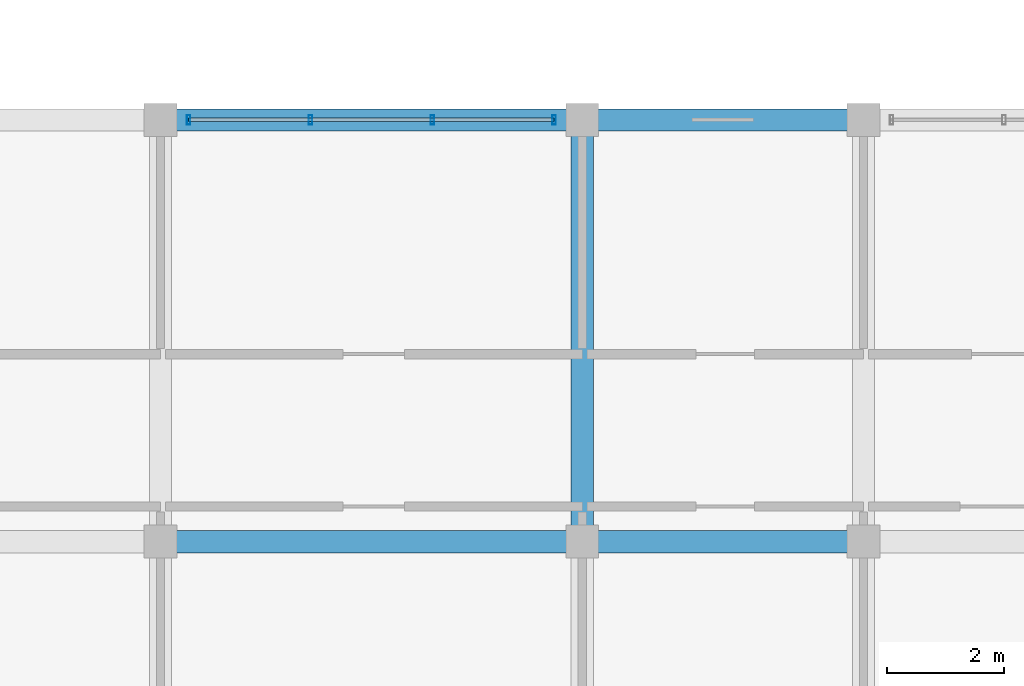
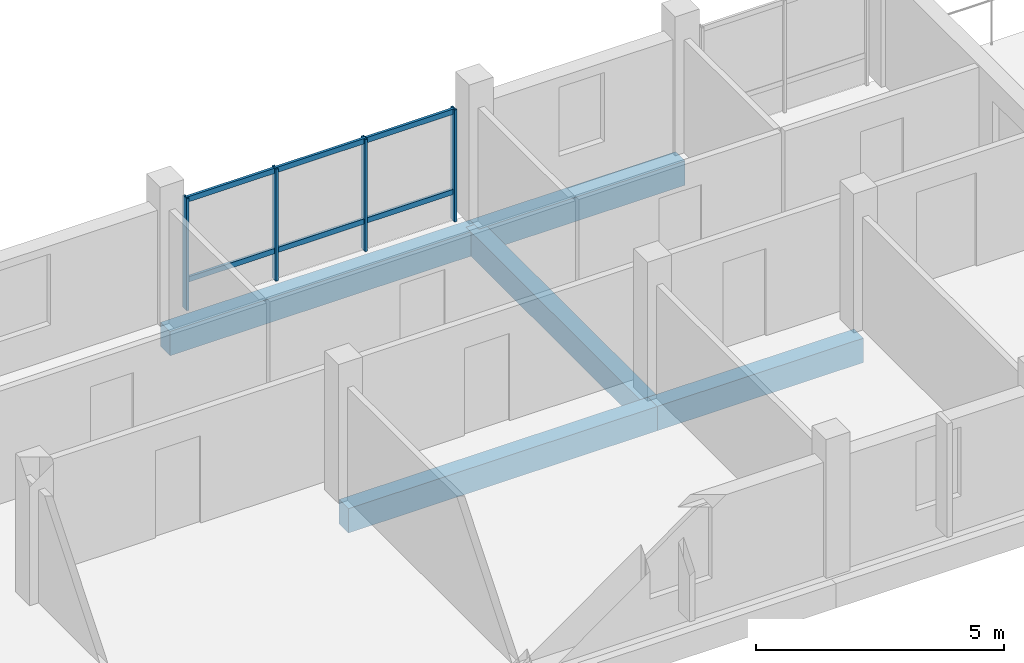
# One storey, part 3 of 84: 6 members, 5 beams, 1 element without a shape of its own.
"""IFC4 building model written with IfcOpenShell, lengths in metres."""

from ifc_helpers import new_model, si_unit, direction, frame, origin, origin_2d, place, context, subcontext, project, spatial, rectangle, hollow_rectangle, extrude, material, material_profile, profile_set, type_object, element, aggregate, save


model = new_model("IFC4")

# Units and contexts
model_context = context("Model", 3, precision=1e-05, world=origin(), true_north=direction((0.0, 1.0)))
body_context = subcontext(model_context, "Body", "Model", "MODEL_VIEW")
ifc_project = project(units=[si_unit("LENGTHUNIT", "METRE"), si_unit("AREAUNIT", "SQUARE_METRE"), si_unit("VOLUMEUNIT", "CUBIC_METRE"), si_unit("PLANEANGLEUNIT", "RADIAN"), si_unit("MASSUNIT", "GRAM", prefix="KILO")], contexts=[model_context])

# Site, building, storey
site_placement = place(None, origin())
site = spatial("IfcSite", under=ifc_project, at=site_placement, CompositionType="ELEMENT")
building_placement = place(site_placement, origin())
building = spatial("IfcBuilding", under=site, at=building_placement, Name="Zornivar Specialist Clinic", CompositionType="ELEMENT")
storey_placement = place(building_placement, frame((0.0, 0.0, 12.300048828125)))
storey = spatial("IfcBuildingStorey", under=building, at=storey_placement, Name="L03", CompositionType="ELEMENT", Elevation=12.300048828125)

# Beams
ifc_material_1 = material(Name="Concrete C30/37", Category="concrete")
ifc_material_profile_1 = material_profile(ifc_material_1, rectangle(XDim=0.3798828125, YDim=0.60009765625, at=origin_2d()), Name="RC 380x600")
ifc_profile_set_1 = profile_set([ifc_material_profile_1], Name="Concrete C30/37")
beam_type = type_object("IfcBeamType", Name="BM-RC-380x600", PredefinedType="BEAM", material=ifc_profile_set_1)
beam_1_placement = place(storey_placement, frame((21.60009765625, 7.199951171875, -0.580078125), z_axis=(1.0, 0.0, 0.0), x_axis=(0.0, 1.0, 0.0)))
element("IfcBeam", 1, at=beam_1_placement, inside=storey, type_object=beam_type, Name="bm:V2:L03:x:72:3", PredefinedType="BEAM", context=body_context, shape_type="SweptSolid", body=[
    extrude(rectangle(XDim=0.3798828125, YDim=0.60009765625, at=origin_2d()), origin(), (0.0, 0.0, 1.0), 7.199951171875),
])
beam_2_placement = place(storey_placement, frame((28.800048828125, 7.199951171875, -0.580078125), z_axis=(1.0, 0.0, 0.0), x_axis=(0.0, 1.0, 0.0)))
element("IfcBeam", 2, at=beam_2_placement, inside=storey, type_object=beam_type, Name="bm:V2:L03:x:72:4", PredefinedType="BEAM", context=body_context, shape_type="SweptSolid", body=[
    extrude(rectangle(XDim=0.3798828125, YDim=0.60009765625, at=origin_2d()), origin(), (0.0, 0.0, 1.0), 4.800048828125),
])
beam_3_placement = place(storey_placement, frame((21.60009765625, 14.39990234375, -0.580078125), z_axis=(1.0, 0.0, 0.0), x_axis=(0.0, 1.0, 0.0)))
element("IfcBeam", 3, at=beam_3_placement, inside=storey, type_object=beam_type, Name="bm:V2:L03:x:144:3", PredefinedType="BEAM", context=body_context, shape_type="SweptSolid", body=[
    extrude(rectangle(XDim=0.3798828125, YDim=0.60009765625, at=origin_2d()), origin(), (0.0, 0.0, 1.0), 7.199951171875),
])
beam_4_placement = place(storey_placement, frame((28.800048828125, 14.39990234375, -0.580078125), z_axis=(1.0, 0.0, 0.0), x_axis=(0.0, 1.0, 0.0)))
element("IfcBeam", 4, at=beam_4_placement, inside=storey, type_object=beam_type, Name="bm:V2:L03:x:144:4", PredefinedType="BEAM", context=body_context, shape_type="SweptSolid", body=[
    extrude(rectangle(XDim=0.3798828125, YDim=0.60009765625, at=origin_2d()), origin(), (0.0, 0.0, 1.0), 4.800048828125),
])
beam_5_placement = place(storey_placement, frame((28.800048828125, 7.199951171875, -0.580078125), z_axis=(0.0, 1.0, 0.0), x_axis=(-1.0, 0.0, 0.0)))
element("IfcBeam", 5, at=beam_5_placement, inside=storey, type_object=beam_type, Name="bm:V2:L03:y:288:1", PredefinedType="BEAM", context=body_context, shape_type="SweptSolid", body=[
    extrude(rectangle(XDim=0.3798828125, YDim=0.60009765625, at=origin_2d()), origin(), (0.0, 0.0, 1.0), 7.199951171875),
])

# Curtain wall, members
ifc_material_2 = material(Name="Aluminium and Low-E Glass Curtain Wall", Category="aluminium")
curtain_wall_type = type_object("IfcCurtainWallType", Name="CW-REVAK-COURT", PredefinedType="NOTDEFINED", material=ifc_material_2)
curtain_wall_placement = place(storey_placement, origin())
curtain_wall = element("IfcCurtainWall", 6, at=curtain_wall_placement, inside=storey, type_object=curtain_wall_type, Name="cw:V2:L03:10", PredefinedType="NOTDEFINED")
ifc_material_3 = material(Name="Aluminium AW-6060", Category="aluminium")
ifc_material_profile_2 = material_profile(ifc_material_3, hollow_rectangle(XDim=0.06005859375, YDim=0.159912109375, WallThickness=0.00390625, at=origin_2d()), Name="ALU 60x160x4")
ifc_profile_set_2 = profile_set([ifc_material_profile_2], Name="Aluminium AW-6060")
member_type_1 = type_object("IfcMemberType", Name="CWM-MUL-160", PredefinedType="MULLION", material=ifc_profile_set_2)
member_1_placement = place(storey_placement, frame((28.320068359375, 14.39990234375, 0.0), z_axis=(0.0, 0.0, 1.0), x_axis=(1.0, 0.0, 0.0)))
member_1 = element("IfcMember", 7, at=member_1_placement, type_object=member_type_1, Name="cw:V2:L03:10:mul:0", PredefinedType="MULLION", context=body_context, shape_type="SweptSolid", body=[
    extrude(hollow_rectangle(XDim=0.06005859375, YDim=0.159912109375, WallThickness=0.00390625, at=origin_2d()), origin(), (0.0, 0.0, 1.0), 2.760009765625),
])
member_2_placement = place(storey_placement, frame((26.239990234375, 14.39990234375, 0.0), z_axis=(0.0, 0.0, 1.0), x_axis=(1.0, 0.0, 0.0)))
member_2 = element("IfcMember", 8, at=member_2_placement, type_object=member_type_1, Name="cw:V2:L03:10:mul:1", PredefinedType="MULLION", context=body_context, shape_type="SweptSolid", body=[
    extrude(hollow_rectangle(XDim=0.06005859375, YDim=0.159912109375, WallThickness=0.00390625, at=origin_2d()), origin(), (0.0, 0.0, 1.0), 2.760009765625),
])
member_3_placement = place(storey_placement, frame((24.159912109375, 14.39990234375, 0.0), z_axis=(0.0, 0.0, 1.0), x_axis=(1.0, 0.0, 0.0)))
member_3 = element("IfcMember", 9, at=member_3_placement, type_object=member_type_1, Name="cw:V2:L03:10:mul:2", PredefinedType="MULLION", context=body_context, shape_type="SweptSolid", body=[
    extrude(hollow_rectangle(XDim=0.06005859375, YDim=0.159912109375, WallThickness=0.00390625, at=origin_2d()), origin(), (0.0, 0.0, 1.0), 2.760009765625),
])
member_4_placement = place(storey_placement, frame((22.080078125, 14.39990234375, 0.0), z_axis=(0.0, 0.0, 1.0), x_axis=(1.0, 0.0, 0.0)))
member_4 = element("IfcMember", 10, at=member_4_placement, type_object=member_type_1, Name="cw:V2:L03:10:mul:3", PredefinedType="MULLION", context=body_context, shape_type="SweptSolid", body=[
    extrude(hollow_rectangle(XDim=0.06005859375, YDim=0.159912109375, WallThickness=0.00390625, at=origin_2d()), origin(), (0.0, 0.0, 1.0), 2.760009765625),
])
ifc_material_4 = material(Name="Aluminium AW-6060", Category="aluminium")
ifc_material_profile_3 = material_profile(ifc_material_4, hollow_rectangle(XDim=0.06005859375, YDim=0.1298828125, WallThickness=0.00390625, at=origin_2d()), Name="ALU 60x130x4")
ifc_profile_set_3 = profile_set([ifc_material_profile_3], Name="Aluminium AW-6060")
member_type_2 = type_object("IfcMemberType", Name="CWM-TRN-130", PredefinedType="USERDEFINED", material=ifc_profile_set_3)
member_5_placement = place(storey_placement, frame((28.320068359375, 14.39990234375, 0.718017578125), z_axis=(-1.0, 0.0, 0.0), x_axis=(0.0, -1.0, 0.0)))
member_5 = element("IfcMember", 11, at=member_5_placement, type_object=member_type_2, Name="cw:V2:L03:10:trn:0", ObjectType="TRANSOM", PredefinedType="USERDEFINED", context=body_context, shape_type="SweptSolid", body=[
    extrude(hollow_rectangle(XDim=0.06005859375, YDim=0.1298828125, WallThickness=0.00390625, at=origin_2d()), origin(), (0.0, 0.0, 1.0), 6.239990234375),
])
member_6_placement = place(storey_placement, frame((28.320068359375, 14.39990234375, 2.695068359375), z_axis=(-1.0, 0.0, 0.0), x_axis=(0.0, -1.0, 0.0)))
member_6 = element("IfcMember", 12, at=member_6_placement, type_object=member_type_2, Name="cw:V2:L03:10:trn:1", ObjectType="TRANSOM", PredefinedType="USERDEFINED", context=body_context, shape_type="SweptSolid", body=[
    extrude(hollow_rectangle(XDim=0.06005859375, YDim=0.1298828125, WallThickness=0.00390625, at=origin_2d()), origin(), (0.0, 0.0, 1.0), 6.239990234375),
])
aggregate(curtain_wall, [member_1, member_2, member_3, member_4, member_5, member_6])

save(model, "model.ifc")
